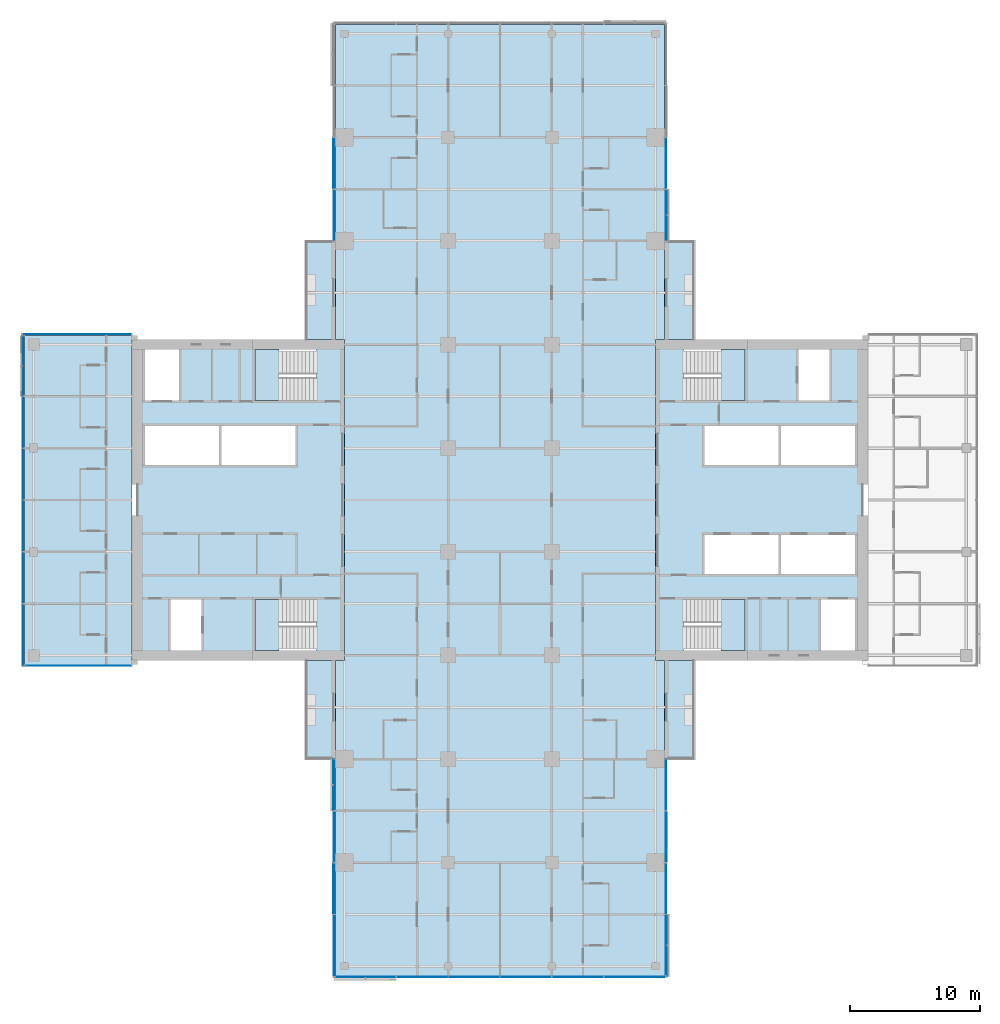
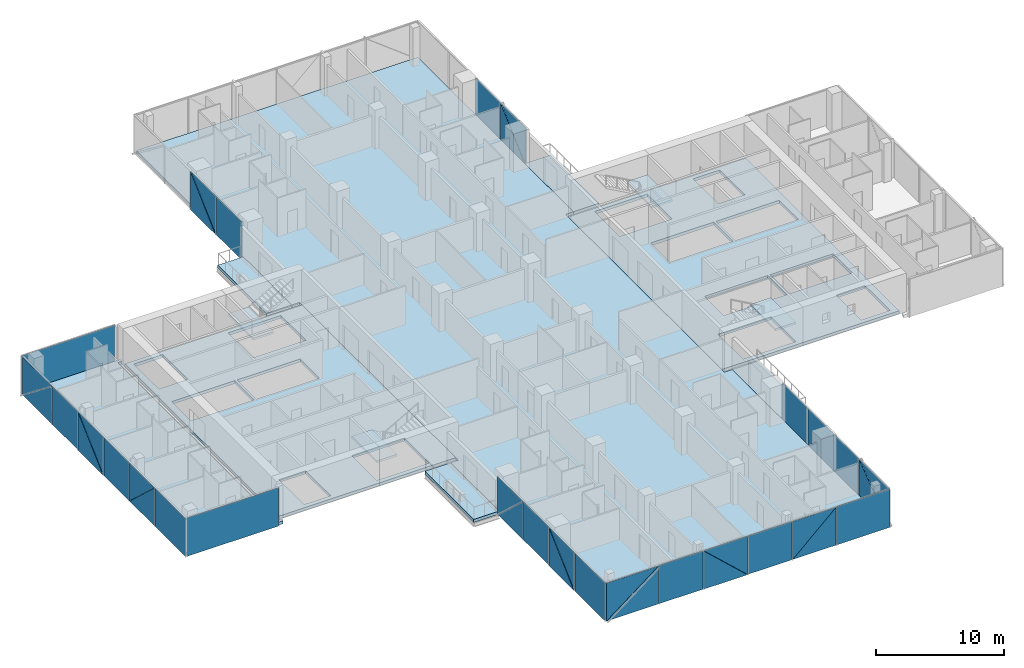
# One storey, part 13 of 27: 38 plates, 12 slabs, 12 elements without a shape of their own.
"""IFC4 building model written with IfcOpenShell, lengths in metres."""

import ifcopenshell
import ifcopenshell.guid

model = None  # the IFC model being written
_history = None  # IfcOwnerHistory: only IFC2X3 demands one
_inside = {}  # id of a spatial element -> (the spatial element, [elements in it])
_under = {}  # id of a project, library or spatial element -> (it, [spatial elements below it])
_declared = {}  # id of a project -> (the project, [libraries it declares])
_typed = {}  # id of a type object -> (the type object, [elements of that type])
_made_of = {}  # id of a material, layer set ... -> (it, [elements and type objects made of it])


def new_model(schema):
    """Start an empty IFC model of exactly this schema.

    Asked for "IFC4X3", IfcOpenShell would pick the latest addendum, in which some entities
    have other attributes; the version numbers below select the first issue.
    IFC2X3 requires an IfcOwnerHistory on every rooted entity: one is made here for all.
    """
    global model, _history
    if schema == "IFC4X3":
        model = ifcopenshell.file(schema_version=(4, 3, 0, 0))
    else:
        model = ifcopenshell.file(schema=schema)
    _inside.clear()
    _under.clear()
    _declared.clear()
    _typed.clear()
    _made_of.clear()
    _history = None
    if model.schema == "IFC2X3":
        org = make("IfcOrganization", Name="unknown")
        user = make(
            "IfcPersonAndOrganization",
            ThePerson=make("IfcPerson", FamilyName="unknown"),
            TheOrganization=org,
        )
        app = make(
            "IfcApplication",
            ApplicationDeveloper=org,
            Version="unknown",
            ApplicationFullName="unknown",
            ApplicationIdentifier="unknown",
        )
        _history = make(
            "IfcOwnerHistory",
            OwningUser=user,
            OwningApplication=app,
            ChangeAction="ADDED",
            CreationDate=0,
        )
    return model


def make(cls, **values):
    """One entity of the class cls with the attributes given. An attribute that is None is left unset."""
    return model.create_entity(
        cls, **{name: value for name, value in values.items() if value is not None}
    )


def rooted(cls, **values):
    """An entity with a GlobalId (a new one), such as an element, a storey or a relation."""
    return make(cls, GlobalId=ifcopenshell.guid.new(), OwnerHistory=_history, **values)


def si_unit(unit_type, name, prefix=None):
    """IfcSIUnit, for example si_unit("LENGTHUNIT", "METRE", prefix="MILLI")."""
    return make("IfcSIUnit", UnitType=unit_type, Prefix=prefix, Name=name)


def assignment(units):
    """IfcUnitAssignment: the units of a project."""
    return None if units is None else make("IfcUnitAssignment", Units=units)


def point(xyz):
    """IfcCartesianPoint."""
    return None if xyz is None else make("IfcCartesianPoint", Coordinates=xyz)


def direction(xyz):
    """IfcDirection."""
    return None if xyz is None else make("IfcDirection", DirectionRatios=xyz)


def frame(location, z_axis=None, x_axis=None):
    """IfcAxis2Placement3D, a coordinate frame: its origin and axes. An axis left out is left unset."""
    return make(
        "IfcAxis2Placement3D",
        Location=point(location),
        Axis=direction(z_axis),
        RefDirection=direction(x_axis),
    )


def origin():
    """The frame at (0, 0, 0) with its axes left unset."""
    return frame((0.0, 0.0, 0.0))


def place(relative_to, where):
    """IfcLocalPlacement: puts the frame where relative to a parent placement (None: the world)."""
    return make(
        "IfcLocalPlacement", PlacementRelTo=relative_to, RelativePlacement=where
    )


def context(
    kind, dimensions, precision=None, world=None, true_north=None, identifier=None
):
    """IfcGeometricRepresentationContext, for example the 3D "Model" context."""
    return make(
        "IfcGeometricRepresentationContext",
        ContextIdentifier=identifier,
        ContextType=kind,
        CoordinateSpaceDimension=dimensions,
        Precision=precision,
        WorldCoordinateSystem=world,
        TrueNorth=true_north,
    )


def subcontext(parent, identifier, kind, view, scale=None):
    """IfcGeometricRepresentationSubContext, for example "Body" below "Model"."""
    return make(
        "IfcGeometricRepresentationSubContext",
        ContextIdentifier=identifier,
        ContextType=kind,
        ParentContext=parent,
        TargetScale=scale,
        TargetView=view,
    )


def project(units=None, contexts=None):
    """IfcProject with its units and contexts."""
    return rooted(
        "IfcProject",
        Name="project",
        RepresentationContexts=contexts,
        UnitsInContext=assignment(units),
    )


def spatial(cls, under=None, at=None, **own):
    """A site, building, storey or space (cls), placed at a placement, below another one or the project."""
    s = rooted(cls, ObjectPlacement=at, **own)
    if under is not None:
        _under.setdefault(under.id(), (under, []))[1].append(s)
    return s


def polyline(points):
    """IfcPolyline through the points."""
    return make("IfcPolyline", Points=[point(p) for p in points])


def outline(outer, holes=None, kind="AREA"):
    """IfcArbitraryClosedProfileDef: a profile drawn as a closed curve; with holes, ...WithVoids."""
    if holes is None:
        return make("IfcArbitraryClosedProfileDef", ProfileType=kind, OuterCurve=outer)
    return make(
        "IfcArbitraryProfileDefWithVoids",
        ProfileType=kind,
        OuterCurve=outer,
        InnerCurves=holes,
    )


def extrude(swept, where, along, depth):
    """IfcExtrudedAreaSolid: the profile swept, set in the frame where, extruded along a direction by depth."""
    return make(
        "IfcExtrudedAreaSolid",
        SweptArea=swept,
        Position=where,
        ExtrudedDirection=direction(along),
        Depth=depth,
    )


def shape(context_of_items, identifier, shape_type, items):
    """IfcShapeRepresentation: the items that make up one representation, for example the "Body"."""
    return make(
        "IfcShapeRepresentation",
        ContextOfItems=context_of_items,
        RepresentationIdentifier=identifier,
        RepresentationType=shape_type,
        Items=items,
    )


def material(Name=None, Category=None):
    """IfcMaterial."""
    return make("IfcMaterial", Name=Name, Category=Category)


def layer(
    of_material, thickness, ventilated=None, Name=None, Category=None, Priority=None
):
    """IfcMaterialLayer: one layer of a wall or slab, of a material (None: an air gap)."""
    return make(
        "IfcMaterialLayer",
        Material=of_material,
        LayerThickness=thickness,
        IsVentilated=ventilated,
        Name=Name,
        Category=Category,
        Priority=Priority,
    )


def layer_set(layers, Name=None):
    """IfcMaterialLayerSet."""
    return make("IfcMaterialLayerSet", MaterialLayers=layers, LayerSetName=Name)


def made_of(thing, what):
    """Note that an element or type object is made of a material, layer set ...; save() writes the relation."""
    if what is not None:
        _made_of.setdefault(what.id(), (what, []))[1].append(thing)
    return thing


def type_object(cls, material=None, **own):
    """A type object (cls), such as IfcWallType, which elements share."""
    return made_of(rooted(cls, **own), material)


def element(
    cls,
    number,
    at=None,
    inside=None,
    cuts=None,
    type_object=None,
    material=None,
    context=None,
    identifier="Body",
    shape_type=None,
    held_by="IfcProductDefinitionShape",
    body=None,
    shapes=None,
    **own,
):
    """One element of the class cls, such as IfcWall. Its Tag is "e" and its number.

    at: its placement. inside: the storey or other place that contains it. cuts: it is an
    opening in that element (IfcRelVoidsElement). A single representation is given by context,
    identifier, shape_type and body (its items); several are given by shapes. held_by: the class
    of the entity that holds the representations. save() writes the other relations.
    """
    e = rooted(cls, Tag="e%d" % number, ObjectPlacement=at, **own)
    if body is not None:
        shapes = [shape(context, identifier, shape_type, body)]
    if shapes is not None:
        e.Representation = make(held_by, Representations=shapes)
    if inside is not None:
        _inside.setdefault(inside.id(), (inside, []))[1].append(e)
    if cuts is not None:
        rooted(
            "IfcRelVoidsElement", RelatingBuildingElement=cuts, RelatedOpeningElement=e
        )
    if type_object is not None:
        _typed.setdefault(type_object.id(), (type_object, []))[1].append(e)
    return made_of(e, material)


def aggregate(whole, parts):
    """IfcRelAggregates: a whole, such as a stair, and the parts it consists of."""
    return rooted("IfcRelAggregates", RelatingObject=whole, RelatedObjects=parts)


def save(model, path):
    """Write the relations noted so far, then the file.

    IfcRelAggregates (storeys below a building ...), IfcRelContainedInSpatialStructure (elements
    in a storey), IfcRelDefinesByType, IfcRelAssociatesMaterial and IfcRelDeclares: one each for
    every whole, place, type object, material and project.
    """
    for whole, parts in _under.values():
        aggregate(whole, parts)
    for where, things in _inside.values():
        rooted(
            "IfcRelContainedInSpatialStructure",
            RelatedElements=things,
            RelatingStructure=where,
        )
    for kind, things in _typed.values():
        rooted("IfcRelDefinesByType", RelatedObjects=things, RelatingType=kind)
    for what, things in _made_of.values():
        rooted("IfcRelAssociatesMaterial", RelatedObjects=things, RelatingMaterial=what)
    for by, libraries in _declared.values():
        rooted("IfcRelDeclares", RelatingContext=by, RelatedDefinitions=libraries)
    model.write(path)


model = new_model("IFC4")

# Units and contexts
model_context = context("Model", 3, precision=1e-05, world=origin(), true_north=direction((0.0, 1.0)))
body_context = subcontext(model_context, "Body", "Model", "MODEL_VIEW")
ifc_project = project(units=[si_unit("LENGTHUNIT", "METRE"), si_unit("AREAUNIT", "SQUARE_METRE"), si_unit("VOLUMEUNIT", "CUBIC_METRE"), si_unit("PLANEANGLEUNIT", "RADIAN"), si_unit("MASSUNIT", "GRAM", prefix="KILO")], contexts=[model_context])

# Site, building, storey
site_placement = place(None, origin())
site = spatial("IfcSite", under=ifc_project, at=site_placement, CompositionType="ELEMENT")
building_placement = place(site_placement, origin())
building = spatial("IfcBuilding", under=site, at=building_placement, Name="Crosswind Convention Tower", CompositionType="ELEMENT")
storey_placement = place(building_placement, frame((0.0, 0.0, 64.60009765625)))
storey = spatial("IfcBuildingStorey", under=building, at=storey_placement, Name="L10", CompositionType="ELEMENT", Elevation=64.60009765625)

# Slabs
ifc_material_1 = material(Name="Concrete C40/50", Category="concrete")
ifc_layer_1 = layer(ifc_material_1, 0.280029296875)
ifc_layer_set_1 = layer_set([ifc_layer_1], Name="Concrete C40/50")
slab_type_1 = type_object("IfcSlabType", Name="BALCONY SLAB 280", PredefinedType="USERDEFINED", material=ifc_layer_set_1)
slab_1_placement = place(storey_placement, frame((0.0, 0.0, -0.280029296875)))
element("IfcSlab", 1, at=slab_1_placement, inside=storey, type_object=slab_type_1, Name="BALCONY L10 N-E.1-1", ObjectType="BALCONY", PredefinedType="USERDEFINED", context=body_context, shape_type="SweptSolid", body=[
    extrude(outline(polyline([(137.699951171875, 112.39990234375), (137.699951171875, 120.0), (140.0, 120.0), (140.0, 112.39990234375), (137.699951171875, 112.39990234375)])), origin(), (0.0, 0.0, 1.0), 0.280029296875),
])
slab_2_placement = place(storey_placement, frame((0.0, 0.0, -0.280029296875)))
element("IfcSlab", 2, at=slab_2_placement, inside=storey, type_object=slab_type_1, Name="BALCONY L10 N-W.1-3", ObjectType="BALCONY", PredefinedType="USERDEFINED", context=body_context, shape_type="SweptSolid", body=[
    extrude(outline(polyline([(112.300048828125, 120.0), (112.300048828125, 112.39990234375), (110.0, 112.39990234375), (110.0, 120.0), (112.300048828125, 120.0)])), origin(), (0.0, 0.0, 1.0), 0.280029296875),
])
slab_3_placement = place(storey_placement, frame((0.0, 0.0, -0.280029296875)))
element("IfcSlab", 3, at=slab_3_placement, inside=storey, type_object=slab_type_1, Name="BALCONY L10 S-W.1-1", ObjectType="BALCONY", PredefinedType="USERDEFINED", context=body_context, shape_type="SweptSolid", body=[
    extrude(outline(polyline([(112.300048828125, 87.60009765625), (112.300048828125, 80.0), (110.0, 80.0), (110.0, 87.60009765625), (112.300048828125, 87.60009765625)])), origin(), (0.0, 0.0, 1.0), 0.280029296875),
])
slab_4_placement = place(storey_placement, frame((0.0, 0.0, -0.280029296875)))
element("IfcSlab", 4, at=slab_4_placement, inside=storey, type_object=slab_type_1, Name="BALCONY L10 S-E.1-3", ObjectType="BALCONY", PredefinedType="USERDEFINED", context=body_context, shape_type="SweptSolid", body=[
    extrude(outline(polyline([(137.699951171875, 80.0), (137.699951171875, 87.60009765625), (140.0, 87.60009765625), (140.0, 80.0), (137.699951171875, 80.0)])), origin(), (0.0, 0.0, 1.0), 0.280029296875),
])
ifc_layer_2 = layer(ifc_material_1, 0.280029296875)
ifc_layer_set_2 = layer_set([ifc_layer_2], Name="Concrete C40/50")
slab_type_2 = type_object("IfcSlabType", Name="Composite floor slab 280", PredefinedType="FLOOR", material=ifc_layer_set_2)
slab_5_placement = place(storey_placement, frame((0.0, 0.0, -0.280029296875)))
element("IfcSlab", 5, at=slab_5_placement, inside=storey, type_object=slab_type_2, Name="Floor slab L10 part 1", PredefinedType="FLOOR", context=body_context, shape_type="SweptSolid", body=[
    extrude(outline(polyline([(97.0, 87.300048828125), (89.0, 87.300048828125), (88.300048828125, 87.300048828125), (88.300048828125, 88.0), (88.300048828125, 112.0), (88.300048828125, 112.699951171875), (89.0, 112.699951171875), (97.0, 112.699951171875), (97.0, 112.39990234375), (96.60009765625, 112.39990234375), (96.60009765625, 87.60009765625), (97.0, 87.60009765625), (97.0, 87.300048828125)])), origin(), (0.0, 0.0, 1.0), 0.280029296875),
])
slab_6_placement = place(storey_placement, frame((0.0, 0.0, -0.280029296875)))
element("IfcSlab", 6, at=slab_6_placement, inside=storey, type_object=slab_type_2, Name="Floor slab L10 part 2", PredefinedType="FLOOR", context=body_context, shape_type="SweptSolid", body=[
    extrude(outline(polyline([(112.300048828125, 87.60009765625), (113.0, 87.60009765625), (113.0, 112.39990234375), (112.300048828125, 112.39990234375), (112.300048828125, 136.0), (112.300048828125, 136.699951171875), (113.0, 136.699951171875), (137.0, 136.699951171875), (137.699951171875, 136.699951171875), (137.699951171875, 136.0), (137.699951171875, 112.39990234375), (137.0, 112.39990234375), (137.0, 87.60009765625), (137.699951171875, 87.60009765625), (137.699951171875, 64.0), (137.699951171875, 63.300048828125), (137.0, 63.300048828125), (113.0, 63.300048828125), (112.300048828125, 63.300048828125), (112.300048828125, 64.0), (112.300048828125, 87.60009765625)])), origin(), (0.0, 0.0, 1.0), 0.280029296875),
])
ifc_layer_3 = layer(ifc_material_1, 0.280029296875)
ifc_layer_set_3 = layer_set([ifc_layer_3], Name="Concrete C40/50")
slab_type_3 = type_object("IfcSlabType", Name="Concrete core floor slab 280", PredefinedType="FLOOR", material=ifc_layer_set_3)
slab_7_placement = place(storey_placement, frame((0.0, 0.0, -0.280029296875)))
element("IfcSlab", 7, at=slab_7_placement, inside=storey, type_object=slab_type_3, Name="Core floor slab E L10", PredefinedType="FLOOR", context=body_context, shape_type="SweptSolid", body=[
    extrude(outline(polyline([(137.0, 88.0), (153.0, 88.0), (153.0, 112.0), (137.0, 112.0), (137.0, 88.0)]), holes=[polyline([(146.5, 102.699951171875), (146.5, 105.699951171875), (140.800048828125, 105.699951171875), (140.800048828125, 102.699951171875), (146.5, 102.699951171875)]), polyline([(152.39990234375, 102.699951171875), (152.39990234375, 105.699951171875), (146.699951171875, 105.699951171875), (146.699951171875, 102.699951171875), (152.39990234375, 102.699951171875)]), polyline([(146.5, 94.300048828125), (146.5, 97.300048828125), (140.800048828125, 97.300048828125), (140.800048828125, 94.300048828125), (146.5, 94.300048828125)]), polyline([(152.39990234375, 94.300048828125), (152.39990234375, 97.300048828125), (146.699951171875, 97.300048828125), (146.699951171875, 94.300048828125), (152.39990234375, 94.300048828125)]), polyline([(150.449951171875, 107.699951171875), (150.449951171875, 111.60009765625), (148.050048828125, 111.60009765625), (148.050048828125, 107.699951171875), (150.449951171875, 107.699951171875)]), polyline([(152.39990234375, 88.39990234375), (152.39990234375, 92.300048828125), (149.800048828125, 92.300048828125), (149.800048828125, 88.39990234375), (152.39990234375, 88.39990234375)]), polyline([(143.89990234375, 107.699951171875), (143.89990234375, 111.60009765625), (139.14990234375, 111.60009765625), (139.14990234375, 107.699951171875), (143.89990234375, 107.699951171875)]), polyline([(143.89990234375, 88.39990234375), (143.89990234375, 92.300048828125), (139.14990234375, 92.300048828125), (139.14990234375, 88.39990234375), (143.89990234375, 88.39990234375)])]), origin(), (0.0, 0.0, 1.0), 0.280029296875),
])
slab_8_placement = place(storey_placement, frame((0.0, 0.0, -0.280029296875)))
element("IfcSlab", 8, at=slab_8_placement, inside=storey, type_object=slab_type_3, Name="Core floor slab W L10", PredefinedType="FLOOR", context=body_context, shape_type="SweptSolid", body=[
    extrude(outline(polyline([(97.0, 88.0), (113.0, 88.0), (113.0, 112.0), (97.0, 112.0), (97.0, 88.0)]), holes=[polyline([(109.199951171875, 102.699951171875), (109.199951171875, 105.699951171875), (103.5, 105.699951171875), (103.5, 102.699951171875), (109.199951171875, 102.699951171875)]), polyline([(103.300048828125, 102.699951171875), (103.300048828125, 105.699951171875), (97.60009765625, 105.699951171875), (97.60009765625, 102.699951171875), (103.300048828125, 102.699951171875)]), polyline([(101.949951171875, 88.39990234375), (101.949951171875, 92.300048828125), (99.550048828125, 92.300048828125), (99.550048828125, 88.39990234375), (101.949951171875, 88.39990234375)]), polyline([(100.199951171875, 107.699951171875), (100.199951171875, 111.60009765625), (97.60009765625, 111.60009765625), (97.60009765625, 107.699951171875), (100.199951171875, 107.699951171875)]), polyline([(110.85009765625, 88.39990234375), (110.85009765625, 92.300048828125), (106.10009765625, 92.300048828125), (106.10009765625, 88.39990234375), (110.85009765625, 88.39990234375)]), polyline([(110.85009765625, 107.699951171875), (110.85009765625, 111.60009765625), (106.10009765625, 111.60009765625), (106.10009765625, 107.699951171875), (110.85009765625, 107.699951171875)])]), origin(), (0.0, 0.0, 1.0), 0.280029296875),
])

# Stair, slab
stair_type = type_object("IfcStairType", Name="Exit stair 1800 wide, 2 flights of 11 risers", PredefinedType="HALF_TURN_STAIR", material=ifc_material_1)
stair_1_placement = place(storey_placement, origin())
stair_1 = element("IfcStair", 9, at=stair_1_placement, inside=storey, type_object=stair_type, Name="Exit stair ST1 L10", ObjectType="ST5", PredefinedType="HALF_TURN_STAIR")
ifc_layer_4 = layer(ifc_material_1, 0.199951171875)
ifc_layer_set_4 = layer_set([ifc_layer_4], Name="Concrete C40/50")
slab_type_4 = type_object("IfcSlabType", Name="Stair landing 200", PredefinedType="LANDING", material=ifc_layer_set_4)
slab_9_placement = place(storey_placement, frame((0.0, 0.0, 1.64990234375)))
slab_9 = element("IfcSlab", 10, at=slab_9_placement, type_object=slab_type_4, Name="ST1 landing 1", PredefinedType="LANDING", context=body_context, shape_type="SweptSolid", body=[
    extrude(outline(polyline([(143.89990234375, 107.699951171875), (143.89990234375, 111.60009765625), (142.050048828125, 111.60009765625), (142.050048828125, 107.699951171875), (143.89990234375, 107.699951171875)])), origin(), (0.0, 0.0, 1.0), 0.199951171875),
])
aggregate(stair_1, [slab_9])

stair_2_placement = place(storey_placement, origin())
stair_2 = element("IfcStair", 11, at=stair_2_placement, inside=storey, type_object=stair_type, Name="Exit stair ST2 L10", ObjectType="ST5", PredefinedType="HALF_TURN_STAIR")
slab_10_placement = place(storey_placement, frame((0.0, 0.0, 1.64990234375)))
slab_10 = element("IfcSlab", 12, at=slab_10_placement, type_object=slab_type_4, Name="ST2 landing 1", PredefinedType="LANDING", context=body_context, shape_type="SweptSolid", body=[
    extrude(outline(polyline([(143.89990234375, 88.39990234375), (143.89990234375, 92.300048828125), (142.050048828125, 92.300048828125), (142.050048828125, 88.39990234375), (143.89990234375, 88.39990234375)])), origin(), (0.0, 0.0, 1.0), 0.199951171875),
])
aggregate(stair_2, [slab_10])

stair_3_placement = place(storey_placement, origin())
stair_3 = element("IfcStair", 13, at=stair_3_placement, inside=storey, type_object=stair_type, Name="Exit stair ST3 L10", ObjectType="ST5", PredefinedType="HALF_TURN_STAIR")
slab_11_placement = place(storey_placement, frame((0.0, 0.0, 1.64990234375)))
slab_11 = element("IfcSlab", 14, at=slab_11_placement, type_object=slab_type_4, Name="ST3 landing 1", PredefinedType="LANDING", context=body_context, shape_type="SweptSolid", body=[
    extrude(outline(polyline([(107.949951171875, 88.39990234375), (107.949951171875, 92.300048828125), (106.10009765625, 92.300048828125), (106.10009765625, 88.39990234375), (107.949951171875, 88.39990234375)])), origin(), (0.0, 0.0, 1.0), 0.199951171875),
])
aggregate(stair_3, [slab_11])

stair_4_placement = place(storey_placement, origin())
stair_4 = element("IfcStair", 15, at=stair_4_placement, inside=storey, type_object=stair_type, Name="Exit stair ST4 L10", ObjectType="ST5", PredefinedType="HALF_TURN_STAIR")
slab_12_placement = place(storey_placement, frame((0.0, 0.0, 1.64990234375)))
slab_12 = element("IfcSlab", 16, at=slab_12_placement, type_object=slab_type_4, Name="ST4 landing 1", PredefinedType="LANDING", context=body_context, shape_type="SweptSolid", body=[
    extrude(outline(polyline([(107.949951171875, 107.699951171875), (107.949951171875, 111.60009765625), (106.10009765625, 111.60009765625), (106.10009765625, 107.699951171875), (107.949951171875, 107.699951171875)])), origin(), (0.0, 0.0, 1.0), 0.199951171875),
])
aggregate(stair_4, [slab_12])

# Curtain wall, plate
ifc_material_2 = material(Name="Aluminium unitised curtain wall", Category="aluminium")
curtain_wall_type_1 = type_object("IfcCurtainWallType", Name="CORE END SLOT WALL 160", PredefinedType="USERDEFINED", material=ifc_material_2)
curtain_wall_1_placement = place(storey_placement, origin())
curtain_wall_1 = element("IfcCurtainWall", 17, at=curtain_wall_1_placement, inside=storey, type_object=curtain_wall_type_1, Name="CW6 L10 W-N.2-1 slot", ObjectType="UNITISED", PredefinedType="USERDEFINED")
ifc_material_3 = material(Name="Laminated insulating glass unit", Category="glass")
ifc_layer_5 = layer(ifc_material_3, 0.02587890625)
ifc_layer_set_5 = layer_set([ifc_layer_5], Name="TRIANGULAR GLASS PANEL 26")
plate_type_1 = type_object("IfcPlateType", Name="TRIANGULAR GLASS PANEL 26", PredefinedType="CURTAIN_PANEL", material=ifc_layer_set_5)
plate_1_placement = place(storey_placement, frame((96.550048828125, 112.806640625, -0.280029296875), z_axis=(0.0, 0.999999919464, 0.00040133776), x_axis=(-1.0, 0.0, 0.0)))
plate_1 = element("IfcPlate", 18, at=plate_1_placement, type_object=plate_type_1, Name="CW6 panel 1.1", PredefinedType="CURTAIN_PANEL", context=body_context, shape_type="SweptSolid", body=[
    extrude(outline(polyline([(0.0, 0.0), (8.400146484375, 0.0), (8.400146484375, 3.649902637698567), (0.0, 3.649902637698567), (0.0, 0.0)])), origin(), (0.0, 0.0, -1.0), 0.02587890625),
])
aggregate(curtain_wall_1, [plate_1])

curtain_wall_2_placement = place(storey_placement, origin())
curtain_wall_2 = element("IfcCurtainWall", 19, at=curtain_wall_2_placement, inside=storey, type_object=curtain_wall_type_1, Name="CW6 L10 W-S.1-1 slot", ObjectType="UNITISED", PredefinedType="USERDEFINED")
plate_2_placement = place(storey_placement, frame((88.35009765625, 87.193359375, -0.280029296875), z_axis=(0.0, -0.999999919464, 0.00040133776), x_axis=(1.0, 0.0, 0.0)))
plate_2 = element("IfcPlate", 20, at=plate_2_placement, type_object=plate_type_1, Name="CW6 panel 1.1", PredefinedType="CURTAIN_PANEL", context=body_context, shape_type="SweptSolid", body=[
    extrude(outline(polyline([(0.0, 0.0), (8.199951171875, 0.0), (8.199951171875, 3.6499026376985664), (0.0, 3.6499026376985664), (0.0, 0.0)])), origin(), (0.0, 0.0, -1.0), 0.02587890625),
])
aggregate(curtain_wall_2, [plate_2])

# Curtain wall, plates
curtain_wall_type_2 = type_object("IfcCurtainWallType", Name="HOTEL UNITISED WALL 200", PredefinedType="USERDEFINED", material=ifc_material_2)
curtain_wall_3_placement = place(storey_placement, origin())
curtain_wall_3 = element("IfcCurtainWall", 21, at=curtain_wall_3_placement, inside=storey, type_object=curtain_wall_type_2, Name="CW2 L10 N-E 1", ObjectType="UNITISED", PredefinedType="USERDEFINED")
ifc_layer_6 = layer(ifc_material_3, 0.028076171875)
ifc_layer_set_6 = layer_set([ifc_layer_6], Name="TRIANGULAR GLASS PANEL 28")
plate_type_2 = type_object("IfcPlateType", Name="TRIANGULAR GLASS PANEL 28", PredefinedType="CURTAIN_PANEL", material=ifc_layer_set_6)
plate_3_placement = place(storey_placement, frame((137.82861328125, 123.967529296875, -0.280029296875), z_axis=(0.999999943186, 0.0, 0.000337086208), x_axis=(-0.000337086208, 0.0, 0.999999943186)))
plate_3 = element("IfcPlate", 22, at=plate_3_placement, type_object=plate_type_2, Name="CW2 panel 1.1", PredefinedType="CURTAIN_PANEL", context=body_context, shape_type="SweptSolid", body=[
    extrude(outline(polyline([(0.0, 0.0), (3.6213380963660997, 0.0), (0.0, 3.920410156250001), (0.0, 0.0)])), origin(), (0.0, 0.0, -1.0), 0.028076171875),
])
plate_4_placement = place(storey_placement, frame((137.857177734375, 120.032470703125, 3.35498046875), z_axis=(0.9999999182, 0.0, 0.00040447617), x_axis=(0.00040447617, 0.0, -0.9999999182)))
plate_4 = element("IfcPlate", 23, at=plate_4_placement, type_object=plate_type_2, Name="CW2 panel 1.2", PredefinedType="CURTAIN_PANEL", context=body_context, shape_type="SweptSolid", body=[
    extrude(outline(polyline([(0.0, 0.0), (3.621582327497207, 0.0), (0.0, 3.92041015625), (0.0, 0.0)])), origin(), (0.0, 0.0, -1.0), 0.028076171875),
])
plate_5_placement = place(storey_placement, frame((137.82861328125, 124.032470703125, -0.280029296875), z_axis=(0.999999943613, 0.0, 0.00033581837), x_axis=(0.0, 1.0, 0.0)))
plate_5 = element("IfcPlate", 24, at=plate_5_placement, type_object=plate_type_2, Name="CW2 panel 2.1", PredefinedType="CURTAIN_PANEL", context=body_context, shape_type="SweptSolid", body=[
    extrude(outline(polyline([(0.0, 0.0), (3.93505859375, 0.0), (3.93505859375, 3.635009970592273), (0.0, 3.635009970592273), (0.0, 0.0)])), origin(), (0.0, 0.0, -1.0), 0.028076171875),
])
aggregate(curtain_wall_3, [plate_3, plate_4, plate_5])

curtain_wall_4_placement = place(storey_placement, origin())
curtain_wall_4 = element("IfcCurtainWall", 25, at=curtain_wall_4_placement, inside=storey, type_object=curtain_wall_type_2, Name="CW2 L10 N-W 1", ObjectType="UNITISED", PredefinedType="USERDEFINED")
plate_6_placement = place(storey_placement, frame((112.172607421875, 124.032470703125, 3.35498046875), z_axis=(-0.999999943194, 0.0, 0.000337063484), x_axis=(0.0, 1.0, 0.0)))
plate_6 = element("IfcPlate", 26, at=plate_6_placement, type_object=plate_type_2, Name="CW2 panel 3.1", PredefinedType="CURTAIN_PANEL", context=body_context, shape_type="SweptSolid", body=[
    extrude(outline(polyline([(0.0, 0.0), (3.92041015625, 0.0), (0.0, 3.62158223697723), (0.0, 0.0)])), origin(), (0.0, 0.0, -1.0), 0.028076171875),
])
plate_7_placement = place(storey_placement, frame((112.141357421875, 127.967529296875, -0.280029296875), z_axis=(-0.999999918188, 0.0, 0.000404503439), x_axis=(0.0, -1.0, 0.0)))
plate_7 = element("IfcPlate", 27, at=plate_7_placement, type_object=plate_type_2, Name="CW2 panel 3.2", PredefinedType="CURTAIN_PANEL", context=body_context, shape_type="SweptSolid", body=[
    extrude(outline(polyline([(0.0, 0.0), (3.92041015625, 0.0), (0.0, 3.6213381868921792), (0.0, 0.0)])), origin(), (0.0, 0.0, -1.0), 0.028076171875),
])
plate_8_placement = place(storey_placement, frame((112.17138671875, 123.967529296875, -0.280029296875), z_axis=(-0.999999943613, 0.0, 0.00033581837), x_axis=(0.0, -1.0, 0.0)))
plate_8 = element("IfcPlate", 28, at=plate_8_placement, type_object=plate_type_2, Name="CW2 panel 4.1", PredefinedType="CURTAIN_PANEL", context=body_context, shape_type="SweptSolid", body=[
    extrude(outline(polyline([(0.0, 0.0), (3.93505859375, 0.0), (3.93505859375, 3.635009970592273), (0.0, 3.635009970592273), (0.0, 0.0)])), origin(), (0.0, 0.0, -1.0), 0.028076171875),
])
aggregate(curtain_wall_4, [plate_6, plate_7, plate_8])

curtain_wall_5_placement = place(storey_placement, origin())
curtain_wall_5 = element("IfcCurtainWall", 29, at=curtain_wall_5_placement, inside=storey, type_object=curtain_wall_type_2, Name="CW2 L10 W-TIP 1", ObjectType="UNITISED", PredefinedType="USERDEFINED")
plate_9_placement = place(storey_placement, frame((88.17138671875, 108.032470703125, -0.280029296875), z_axis=(-0.999999943209, 0.0, 0.000337018045), x_axis=(0.000337018045, 0.0, 0.999999943209)))
plate_9 = element("IfcPlate", 30, at=plate_9_placement, type_object=plate_type_2, Name="CW2 panel 1.1", PredefinedType="CURTAIN_PANEL", context=body_context, shape_type="SweptSolid", body=[
    extrude(outline(polyline([(0.0, 0.0), (3.622070518199496, 0.0), (0.0, 4.58642578125), (0.0, 0.0)])), origin(), (0.0, 0.0, -1.0), 0.028076171875),
])
plate_10_placement = place(storey_placement, frame((88.142822265625, 112.635009765625, 3.35498046875), z_axis=(-0.999999918233, 0.0, 0.000404394386), x_axis=(-0.000404394386, 0.0, -0.999999918233)))
plate_10 = element("IfcPlate", 31, at=plate_10_placement, type_object=plate_type_2, Name="CW2 panel 1.2", PredefinedType="CURTAIN_PANEL", context=body_context, shape_type="SweptSolid", body=[
    extrude(outline(polyline([(0.0, 0.0), (3.6223147493123067, 0.0), (0.0, 4.58642578125), (0.0, 0.0)])), origin(), (0.0, 0.0, -1.0), 0.028076171875),
])
plate_11_placement = place(storey_placement, frame((88.17138671875, 107.967529296875, -0.280029296875), z_axis=(-0.999999943613, 0.0, 0.00033581837), x_axis=(0.0, -1.0, 0.0)))
plate_11 = element("IfcPlate", 32, at=plate_11_placement, type_object=plate_type_2, Name="CW2 panel 2.1", PredefinedType="CURTAIN_PANEL", context=body_context, shape_type="SweptSolid", body=[
    extrude(outline(polyline([(0.0, 0.0), (3.93505859375, 0.0), (3.93505859375, 3.635009970592273), (0.0, 3.635009970592273), (0.0, 0.0)])), origin(), (0.0, 0.0, -1.0), 0.028076171875),
])
plate_12_placement = place(storey_placement, frame((88.172607421875, 100.032470703125, 3.35498046875), z_axis=(-0.999999943194, 0.0, 0.000337063484), x_axis=(0.0, 1.0, 0.0)))
plate_12 = element("IfcPlate", 33, at=plate_12_placement, type_object=plate_type_2, Name="CW2 panel 3.1", PredefinedType="CURTAIN_PANEL", context=body_context, shape_type="SweptSolid", body=[
    extrude(outline(polyline([(0.0, 0.0), (3.92041015625, 0.0), (0.0, 3.62158223697723), (0.0, 0.0)])), origin(), (0.0, 0.0, -1.0), 0.028076171875),
])
plate_13_placement = place(storey_placement, frame((88.141357421875, 103.967529296875, -0.280029296875), z_axis=(-0.999999918188, 0.0, 0.000404503439), x_axis=(0.0, -1.0, 0.0)))
plate_13 = element("IfcPlate", 34, at=plate_13_placement, type_object=plate_type_2, Name="CW2 panel 3.2", PredefinedType="CURTAIN_PANEL", context=body_context, shape_type="SweptSolid", body=[
    extrude(outline(polyline([(0.0, 0.0), (3.92041015625, 0.0), (0.0, 3.6213381868921792), (0.0, 0.0)])), origin(), (0.0, 0.0, -1.0), 0.028076171875),
])
plate_14_placement = place(storey_placement, frame((88.17138671875, 99.967529296875, -0.280029296875), z_axis=(-0.999999943613, 0.0, 0.00033581837), x_axis=(0.0, -1.0, 0.0)))
plate_14 = element("IfcPlate", 35, at=plate_14_placement, type_object=plate_type_2, Name="CW2 panel 4.1", PredefinedType="CURTAIN_PANEL", context=body_context, shape_type="SweptSolid", body=[
    extrude(outline(polyline([(0.0, 0.0), (3.93505859375, 0.0), (3.93505859375, 3.635009970592273), (0.0, 3.635009970592273), (0.0, 0.0)])), origin(), (0.0, 0.0, -1.0), 0.028076171875),
])
plate_15_placement = place(storey_placement, frame((88.17138671875, 92.032470703125, -0.280029296875), z_axis=(-0.999999943186, 0.0, 0.000337086208), x_axis=(0.000337086208, 0.0, 0.999999943186)))
plate_15 = element("IfcPlate", 36, at=plate_15_placement, type_object=plate_type_2, Name="CW2 panel 5.1", PredefinedType="CURTAIN_PANEL", context=body_context, shape_type="SweptSolid", body=[
    extrude(outline(polyline([(0.0, 0.0), (3.6213380963660997, 0.0), (0.0, 3.920410156250001), (0.0, 0.0)])), origin(), (0.0, 0.0, -1.0), 0.028076171875),
])
plate_16_placement = place(storey_placement, frame((88.142822265625, 95.967529296875, 3.35498046875), z_axis=(-0.9999999182, 0.0, 0.00040447617), x_axis=(-0.00040447617, 0.0, -0.9999999182)))
plate_16 = element("IfcPlate", 37, at=plate_16_placement, type_object=plate_type_2, Name="CW2 panel 5.2", PredefinedType="CURTAIN_PANEL", context=body_context, shape_type="SweptSolid", body=[
    extrude(outline(polyline([(0.0, 0.0), (3.621582327497207, 0.0), (0.0, 3.92041015625), (0.0, 0.0)])), origin(), (0.0, 0.0, -1.0), 0.028076171875),
])
plate_17_placement = place(storey_placement, frame((88.17138671875, 91.967529296875, -0.280029296875), z_axis=(-0.999999943613, 0.0, 0.00033581837), x_axis=(0.0, -1.0, 0.0)))
plate_17 = element("IfcPlate", 38, at=plate_17_placement, type_object=plate_type_2, Name="CW2 panel 6.1", PredefinedType="CURTAIN_PANEL", context=body_context, shape_type="SweptSolid", body=[
    extrude(outline(polyline([(0.0, 0.0), (4.762451171875, 0.0), (4.762451171875, 3.635009970592273), (0.0, 3.635009970592273), (0.0, 0.0)])), origin(), (0.0, 0.0, -1.0), 0.028076171875),
])
aggregate(curtain_wall_5, [plate_9, plate_10, plate_11, plate_12, plate_13, plate_14, plate_15, plate_16, plate_17])

curtain_wall_6_placement = place(storey_placement, origin())
curtain_wall_6 = element("IfcCurtainWall", 39, at=curtain_wall_6_placement, inside=storey, type_object=curtain_wall_type_2, Name="CW2 L10 S-W 1", ObjectType="UNITISED", PredefinedType="USERDEFINED")
plate_18_placement = place(storey_placement, frame((112.17138671875, 76.032470703125, -0.280029296875), z_axis=(-0.999999943186, 0.0, 0.000337086208), x_axis=(0.000337086208, 0.0, 0.999999943186)))
plate_18 = element("IfcPlate", 40, at=plate_18_placement, type_object=plate_type_2, Name="CW2 panel 1.1", PredefinedType="CURTAIN_PANEL", context=body_context, shape_type="SweptSolid", body=[
    extrude(outline(polyline([(0.0, 0.0), (3.6213380963660997, 0.0), (0.0, 3.920410156250001), (0.0, 0.0)])), origin(), (0.0, 0.0, -1.0), 0.028076171875),
])
plate_19_placement = place(storey_placement, frame((112.142822265625, 79.967529296875, 3.35498046875), z_axis=(-0.9999999182, 0.0, 0.00040447617), x_axis=(-0.00040447617, 0.0, -0.9999999182)))
plate_19 = element("IfcPlate", 41, at=plate_19_placement, type_object=plate_type_2, Name="CW2 panel 1.2", PredefinedType="CURTAIN_PANEL", context=body_context, shape_type="SweptSolid", body=[
    extrude(outline(polyline([(0.0, 0.0), (3.621582327497207, 0.0), (0.0, 3.92041015625), (0.0, 0.0)])), origin(), (0.0, 0.0, -1.0), 0.028076171875),
])
plate_20_placement = place(storey_placement, frame((112.17138671875, 75.967529296875, -0.280029296875), z_axis=(-0.999999943613, 0.0, 0.00033581837), x_axis=(0.0, -1.0, 0.0)))
plate_20 = element("IfcPlate", 42, at=plate_20_placement, type_object=plate_type_2, Name="CW2 panel 2.1", PredefinedType="CURTAIN_PANEL", context=body_context, shape_type="SweptSolid", body=[
    extrude(outline(polyline([(0.0, 0.0), (3.93505859375, 0.0), (3.93505859375, 3.635009970592273), (0.0, 3.635009970592273), (0.0, 0.0)])), origin(), (0.0, 0.0, -1.0), 0.028076171875),
])
plate_21_placement = place(storey_placement, frame((112.172607421875, 68.032470703125, 3.35498046875), z_axis=(-0.999999943194, 0.0, 0.000337063484), x_axis=(0.0, 1.0, 0.0)))
plate_21 = element("IfcPlate", 43, at=plate_21_placement, type_object=plate_type_2, Name="CW2 panel 3.1", PredefinedType="CURTAIN_PANEL", context=body_context, shape_type="SweptSolid", body=[
    extrude(outline(polyline([(0.0, 0.0), (3.92041015625, 0.0), (0.0, 3.62158223697723), (0.0, 0.0)])), origin(), (0.0, 0.0, -1.0), 0.028076171875),
])
plate_22_placement = place(storey_placement, frame((112.141357421875, 71.967529296875, -0.280029296875), z_axis=(-0.999999918188, 0.0, 0.000404503439), x_axis=(0.0, -1.0, 0.0)))
plate_22 = element("IfcPlate", 44, at=plate_22_placement, type_object=plate_type_2, Name="CW2 panel 3.2", PredefinedType="CURTAIN_PANEL", context=body_context, shape_type="SweptSolid", body=[
    extrude(outline(polyline([(0.0, 0.0), (3.92041015625, 0.0), (0.0, 3.6213381868921792), (0.0, 0.0)])), origin(), (0.0, 0.0, -1.0), 0.028076171875),
])
plate_23_placement = place(storey_placement, frame((112.17138671875, 67.967529296875, -0.280029296875), z_axis=(-0.999999943613, 0.0, 0.00033581837), x_axis=(0.0, -1.0, 0.0)))
plate_23 = element("IfcPlate", 45, at=plate_23_placement, type_object=plate_type_2, Name="CW2 panel 4.1", PredefinedType="CURTAIN_PANEL", context=body_context, shape_type="SweptSolid", body=[
    extrude(outline(polyline([(0.0, 0.0), (4.735107421875, 0.0), (4.735107421875, 3.6350099705922725), (0.0, 3.6350099705922725), (0.0, 0.0)])), origin(), (0.0, 0.0, -1.0), 0.028076171875),
])
aggregate(curtain_wall_6, [plate_18, plate_19, plate_20, plate_21, plate_22, plate_23])

curtain_wall_7_placement = place(storey_placement, origin())
curtain_wall_7 = element("IfcCurtainWall", 46, at=curtain_wall_7_placement, inside=storey, type_object=curtain_wall_type_2, Name="CW2 L10 S-TIP 1", ObjectType="UNITISED", PredefinedType="USERDEFINED")
plate_24_placement = place(storey_placement, frame((116.967529296875, 63.17138671875, -0.280029296875), z_axis=(0.0, -0.999999943217, 0.00033699533), x_axis=(0.0, 0.00033699533, 0.999999943217)))
plate_24 = element("IfcPlate", 47, at=plate_24_placement, type_object=plate_type_2, Name="CW2 panel 1.1", PredefinedType="CURTAIN_PANEL", context=body_context, shape_type="SweptSolid", body=[
    extrude(outline(polyline([(0.0, 0.0), (3.6223146588106325, 0.0), (0.0, 4.718505859374999), (0.0, 0.0)])), origin(), (0.0, 0.0, -1.0), 0.028076171875),
])
plate_25_placement = place(storey_placement, frame((112.232421875, 63.142822265625, 3.35498046875), z_axis=(0.0, -0.999999918244, 0.000404367132), x_axis=(0.0, -0.000404367132, -0.999999918244)))
plate_25 = element("IfcPlate", 48, at=plate_25_placement, type_object=plate_type_2, Name="CW2 panel 1.2", PredefinedType="CURTAIN_PANEL", context=body_context, shape_type="SweptSolid", body=[
    extrude(outline(polyline([(0.0, 0.0), (3.6225588899173458, 0.0), (0.0, 4.718749999999999), (0.0, 0.0)])), origin(), (0.0, 0.0, -1.0), 0.028076171875),
])
plate_26_placement = place(storey_placement, frame((117.032470703125, 63.17138671875, -0.280029296875), z_axis=(0.0, -0.999999943613, 0.00033581837), x_axis=(1.0, 0.0, 0.0)))
plate_26 = element("IfcPlate", 49, at=plate_26_placement, type_object=plate_type_2, Name="CW2 panel 2.1", PredefinedType="CURTAIN_PANEL", context=body_context, shape_type="SweptSolid", body=[
    extrude(outline(polyline([(0.0, 0.0), (3.93505859375, 0.0), (3.93505859375, 3.635009970592273), (0.0, 3.635009970592273), (0.0, 0.0)])), origin(), (0.0, 0.0, -1.0), 0.028076171875),
])
plate_27_placement = place(storey_placement, frame((124.967529296875, 63.172607421875, 3.35498046875), z_axis=(0.0, -0.999999943194, 0.000337063484), x_axis=(-1.0, 0.0, 0.0)))
plate_27 = element("IfcPlate", 50, at=plate_27_placement, type_object=plate_type_2, Name="CW2 panel 3.1", PredefinedType="CURTAIN_PANEL", context=body_context, shape_type="SweptSolid", body=[
    extrude(outline(polyline([(0.0, 0.0), (3.92041015625, 0.0), (0.0, 3.62158223697723), (0.0, 0.0)])), origin(), (0.0, 0.0, -1.0), 0.028076171875),
])
plate_28_placement = place(storey_placement, frame((121.032470703125, 63.141357421875, -0.280029296875), z_axis=(0.0, -0.999999918188, 0.000404503439), x_axis=(1.0, 0.0, 0.0)))
plate_28 = element("IfcPlate", 51, at=plate_28_placement, type_object=plate_type_2, Name="CW2 panel 3.2", PredefinedType="CURTAIN_PANEL", context=body_context, shape_type="SweptSolid", body=[
    extrude(outline(polyline([(0.0, 0.0), (3.92041015625, 0.0), (0.0, 3.6213381868921792), (0.0, 0.0)])), origin(), (0.0, 0.0, -1.0), 0.028076171875),
])
plate_29_placement = place(storey_placement, frame((125.032470703125, 63.17138671875, -0.280029296875), z_axis=(0.0, -0.999999943613, 0.00033581837), x_axis=(1.0, 0.0, 0.0)))
plate_29 = element("IfcPlate", 52, at=plate_29_placement, type_object=plate_type_2, Name="CW2 panel 4.1", PredefinedType="CURTAIN_PANEL", context=body_context, shape_type="SweptSolid", body=[
    extrude(outline(polyline([(0.0, 0.0), (3.93505859375, 0.0), (3.93505859375, 3.635009970592273), (0.0, 3.635009970592273), (0.0, 0.0)])), origin(), (0.0, 0.0, -1.0), 0.028076171875),
])
plate_30_placement = place(storey_placement, frame((132.967529296875, 63.17138671875, -0.280029296875), z_axis=(0.0, -0.999999943186, 0.000337086208), x_axis=(0.0, 0.000337086208, 0.999999943186)))
plate_30 = element("IfcPlate", 53, at=plate_30_placement, type_object=plate_type_2, Name="CW2 panel 5.1", PredefinedType="CURTAIN_PANEL", context=body_context, shape_type="SweptSolid", body=[
    extrude(outline(polyline([(0.0, 0.0), (3.6213380963660997, 0.0), (0.0, 3.920410156250001), (0.0, 0.0)])), origin(), (0.0, 0.0, -1.0), 0.028076171875),
])
plate_31_placement = place(storey_placement, frame((129.032470703125, 63.142822265625, 3.35498046875), z_axis=(0.0, -0.9999999182, 0.00040447617), x_axis=(0.0, -0.00040447617, -0.9999999182)))
plate_31 = element("IfcPlate", 54, at=plate_31_placement, type_object=plate_type_2, Name="CW2 panel 5.2", PredefinedType="CURTAIN_PANEL", context=body_context, shape_type="SweptSolid", body=[
    extrude(outline(polyline([(0.0, 0.0), (3.621582327497207, 0.0), (0.0, 3.92041015625), (0.0, 0.0)])), origin(), (0.0, 0.0, -1.0), 0.028076171875),
])
plate_32_placement = place(storey_placement, frame((133.032470703125, 63.17138671875, -0.280029296875), z_axis=(0.0, -0.999999943613, 0.00033581837), x_axis=(1.0, 0.0, 0.0)))
plate_32 = element("IfcPlate", 55, at=plate_32_placement, type_object=plate_type_2, Name="CW2 panel 6.1", PredefinedType="CURTAIN_PANEL", context=body_context, shape_type="SweptSolid", body=[
    extrude(outline(polyline([(0.0, 0.0), (4.735107421875, 0.0), (4.735107421875, 3.6350099705922725), (0.0, 3.6350099705922725), (0.0, 0.0)])), origin(), (0.0, 0.0, -1.0), 0.028076171875),
])
aggregate(curtain_wall_7, [plate_24, plate_25, plate_26, plate_27, plate_28, plate_29, plate_30, plate_31, plate_32])

curtain_wall_8_placement = place(storey_placement, origin())
curtain_wall_8 = element("IfcCurtainWall", 56, at=curtain_wall_8_placement, inside=storey, type_object=curtain_wall_type_2, Name="CW2 L10 S-E 1", ObjectType="UNITISED", PredefinedType="USERDEFINED")
plate_33_placement = place(storey_placement, frame((137.82861328125, 67.967529296875, -0.280029296875), z_axis=(0.999999943217, 0.0, 0.00033699533), x_axis=(-0.00033699533, 0.0, 0.999999943217)))
plate_33 = element("IfcPlate", 57, at=plate_33_placement, type_object=plate_type_2, Name="CW2 panel 1.1", PredefinedType="CURTAIN_PANEL", context=body_context, shape_type="SweptSolid", body=[
    extrude(outline(polyline([(0.0, 0.0), (3.6223146588106325, 0.0), (0.0, 4.718505859374999), (0.0, 0.0)])), origin(), (0.0, 0.0, -1.0), 0.028076171875),
])
plate_34_placement = place(storey_placement, frame((137.857177734375, 63.232421875, 3.35498046875), z_axis=(0.999999918244, 0.0, 0.000404367132), x_axis=(0.000404367132, 0.0, -0.999999918244)))
plate_34 = element("IfcPlate", 58, at=plate_34_placement, type_object=plate_type_2, Name="CW2 panel 1.2", PredefinedType="CURTAIN_PANEL", context=body_context, shape_type="SweptSolid", body=[
    extrude(outline(polyline([(0.0, 0.0), (3.6225588899173458, 0.0), (0.0, 4.718749999999999), (0.0, 0.0)])), origin(), (0.0, 0.0, -1.0), 0.028076171875),
])
plate_35_placement = place(storey_placement, frame((137.82861328125, 68.032470703125, -0.280029296875), z_axis=(0.999999943613, 0.0, 0.00033581837), x_axis=(0.0, 1.0, 0.0)))
plate_35 = element("IfcPlate", 59, at=plate_35_placement, type_object=plate_type_2, Name="CW2 panel 2.1", PredefinedType="CURTAIN_PANEL", context=body_context, shape_type="SweptSolid", body=[
    extrude(outline(polyline([(0.0, 0.0), (3.93505859375, 0.0), (3.93505859375, 3.635009970592273), (0.0, 3.635009970592273), (0.0, 0.0)])), origin(), (0.0, 0.0, -1.0), 0.028076171875),
])
plate_36_placement = place(storey_placement, frame((137.827392578125, 75.967529296875, 3.35498046875), z_axis=(0.999999943194, 0.0, 0.000337063484), x_axis=(0.0, -1.0, 0.0)))
plate_36 = element("IfcPlate", 60, at=plate_36_placement, type_object=plate_type_2, Name="CW2 panel 3.1", PredefinedType="CURTAIN_PANEL", context=body_context, shape_type="SweptSolid", body=[
    extrude(outline(polyline([(0.0, 0.0), (3.92041015625, 0.0), (0.0, 3.62158223697723), (0.0, 0.0)])), origin(), (0.0, 0.0, -1.0), 0.028076171875),
])
plate_37_placement = place(storey_placement, frame((137.858642578125, 72.032470703125, -0.280029296875), z_axis=(0.999999918188, 0.0, 0.000404503439), x_axis=(0.0, 1.0, 0.0)))
plate_37 = element("IfcPlate", 61, at=plate_37_placement, type_object=plate_type_2, Name="CW2 panel 3.2", PredefinedType="CURTAIN_PANEL", context=body_context, shape_type="SweptSolid", body=[
    extrude(outline(polyline([(0.0, 0.0), (3.92041015625, 0.0), (0.0, 3.6213381868921792), (0.0, 0.0)])), origin(), (0.0, 0.0, -1.0), 0.028076171875),
])
plate_38_placement = place(storey_placement, frame((137.82861328125, 76.032470703125, -0.280029296875), z_axis=(0.999999943613, 0.0, 0.00033581837), x_axis=(0.0, 1.0, 0.0)))
plate_38 = element("IfcPlate", 62, at=plate_38_placement, type_object=plate_type_2, Name="CW2 panel 4.1", PredefinedType="CURTAIN_PANEL", context=body_context, shape_type="SweptSolid", body=[
    extrude(outline(polyline([(0.0, 0.0), (3.93505859375, 0.0), (3.93505859375, 3.635009970592273), (0.0, 3.635009970592273), (0.0, 0.0)])), origin(), (0.0, 0.0, -1.0), 0.028076171875),
])
aggregate(curtain_wall_8, [plate_33, plate_34, plate_35, plate_36, plate_37, plate_38])

save(model, "model.ifc")
